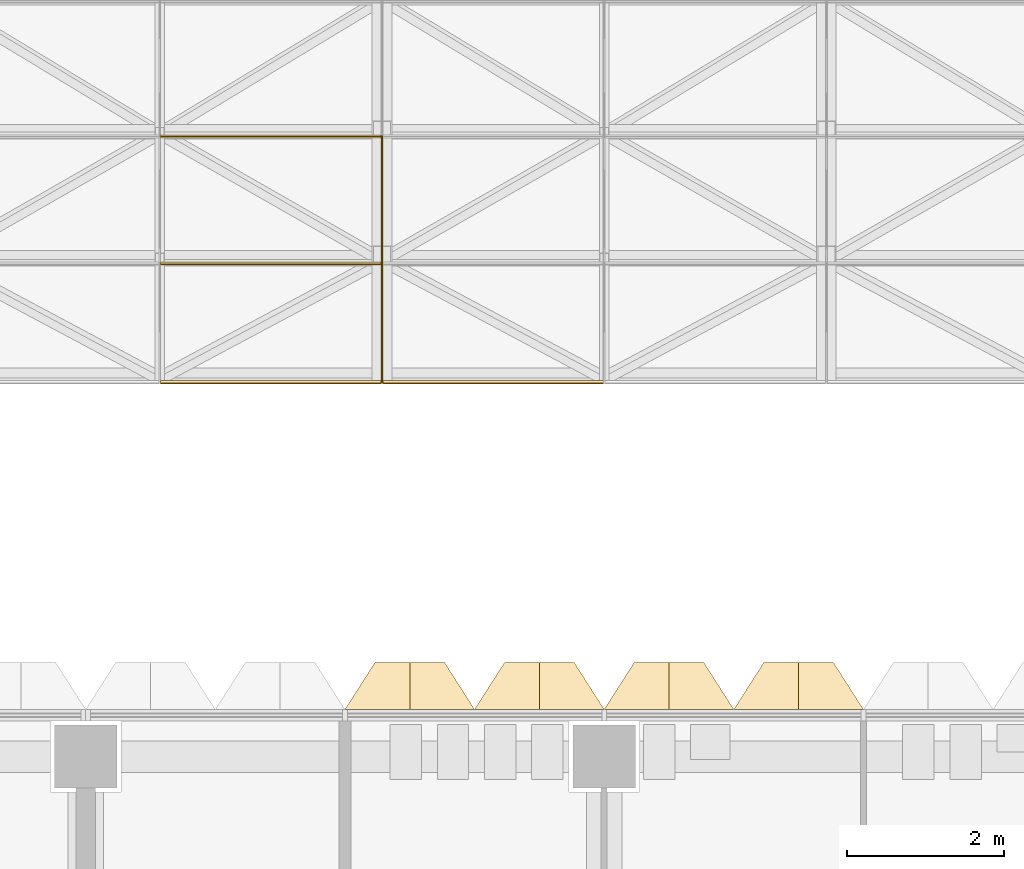
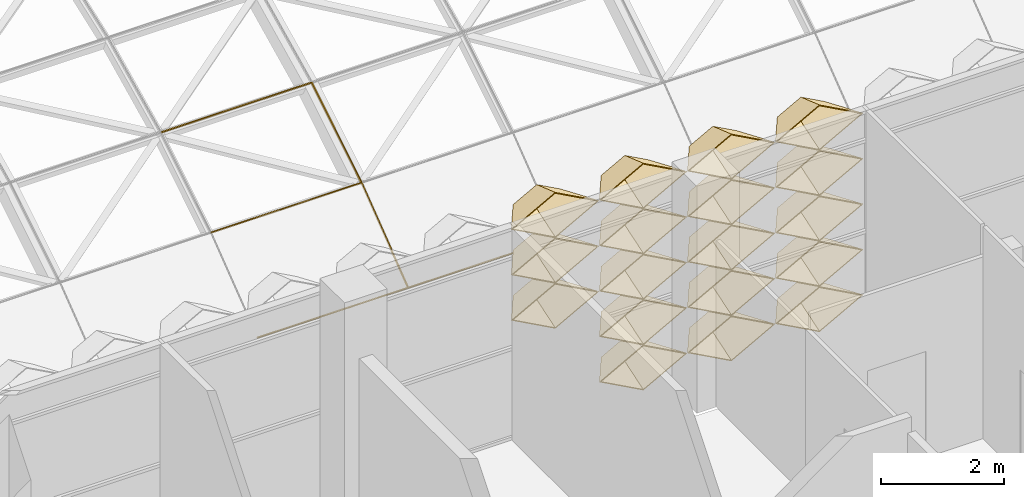
# One storey, part 57 of 85: 24 coverings.
"""IFC4 building model written with IfcOpenShell, lengths in metres."""

from ifc_helpers import new_model, entity, si_unit, direction, frame, origin, origin_2d, place, context, subcontext, project, spatial, rectangle, extrude, material, layer, layer_set, material_profile, profile_set, type_object, element, save


model = new_model("IFC4")

# Units and contexts
model_context = context("Model", 3, precision=1e-05, world=origin(), true_north=direction((0.0, 1.0)))
body_context = subcontext(model_context, "Body", "Model", "MODEL_VIEW")
ifc_project = project(units=[si_unit("LENGTHUNIT", "METRE"), si_unit("AREAUNIT", "SQUARE_METRE"), si_unit("VOLUMEUNIT", "CUBIC_METRE"), si_unit("PLANEANGLEUNIT", "RADIAN"), si_unit("MASSUNIT", "GRAM", prefix="KILO")], contexts=[model_context])

# Site, building, storey
site_placement = place(None, origin())
site = spatial("IfcSite", under=ifc_project, at=site_placement, CompositionType="ELEMENT")
building_placement = place(site_placement, origin())
building = spatial("IfcBuilding", under=site, at=building_placement, Name="Lantern Court Research Institute", CompositionType="ELEMENT")
storey_placement = place(building_placement, frame((0.0, 0.0, 18.89990234375)))
storey = spatial("IfcBuildingStorey", under=building, at=storey_placement, Name="L04", CompositionType="ELEMENT", Elevation=18.89990234375)

# Coverings
ifc_material_1 = material(Name="Anodised aluminium", Category="aluminium")
ifc_layer = layer(ifc_material_1, 0.01611328125)
ifc_layer_set = layer_set([ifc_layer], Name="Anodised aluminium")
covering_type_1 = type_object("IfcCoveringType", Name="Fin cassette 1650 x 900 x 600 aluminium", PredefinedType="CLADDING", material=ifc_layer_set)
covering_1_placement = place(storey_placement, frame((58.574951171875, 23.699951171875, 0.4501953125), z_axis=(0.0, 1.0, 0.0), x_axis=(-1.0, 0.0, 0.0)))
cartesian_point_1 = entity("IfcCartesianPoint", [0.824951171875, 0.0])
cartesian_point_2 = entity("IfcCartesianPoint", [0.79150390625, 0.0])
cartesian_point_3 = entity("IfcCartesianPoint", [0.44189453125, 0.0])
cartesian_point_4 = entity("IfcCartesianPoint", [0.43359375, 0.0])
element("IfcCovering", 1, at=covering_1_placement, inside=storey, type_object=covering_type_1, Name="Fin cassette V5N-L04 1.36", PredefinedType="CLADDING", context=body_context, shape_type="SweptSolid", body=[
    entity("IfcExtrudedAreaSolidTapered", entity("IfcArbitraryProfileDefWithVoids", "AREA", None, entity("IfcPolyline", [cartesian_point_1, entity("IfcCartesianPoint", [0.0, 0.449951171875]), entity("IfcCartesianPoint", [-0.824951171875, 0.0]), entity("IfcCartesianPoint", [0.0, -0.449951171875]), cartesian_point_1]), [entity("IfcPolyline", [cartesian_point_2, entity("IfcCartesianPoint", [0.0, 0.431884765625]), entity("IfcCartesianPoint", [-0.79150390625, 0.0]), entity("IfcCartesianPoint", [0.0, -0.431884765625]), cartesian_point_2])]), entity("IfcAxis2Placement3D", entity("IfcCartesianPoint", [0.0, 0.0, 0.0])), entity("IfcDirection", [0.0, 0.0, 1.0]), 0.60009765625, entity("IfcArbitraryProfileDefWithVoids", "AREA", None, entity("IfcPolyline", [cartesian_point_3, entity("IfcCartesianPoint", [0.0, 0.240966796875]), entity("IfcCartesianPoint", [-0.44189453125, 0.0]), entity("IfcCartesianPoint", [0.0, -0.240966796875]), cartesian_point_3]), [entity("IfcPolyline", [cartesian_point_4, entity("IfcCartesianPoint", [0.0, 0.236572265625]), entity("IfcCartesianPoint", [-0.43359375, 0.0]), entity("IfcCartesianPoint", [0.0, -0.236572265625]), cartesian_point_4])])),
])
covering_2_placement = place(storey_placement, frame((60.22509765625, 23.699951171875, 0.4501953125), z_axis=(0.0, 1.0, 0.0), x_axis=(-1.0, 0.0, 0.0)))
cartesian_point_5 = entity("IfcCartesianPoint", [0.824951171875, 0.0])
cartesian_point_6 = entity("IfcCartesianPoint", [0.79150390625, 0.0])
cartesian_point_7 = entity("IfcCartesianPoint", [0.44189453125, 0.0])
cartesian_point_8 = entity("IfcCartesianPoint", [0.43359375, 0.0])
element("IfcCovering", 2, at=covering_2_placement, inside=storey, type_object=covering_type_1, Name="Fin cassette V5N-L04 1.37", PredefinedType="CLADDING", context=body_context, shape_type="SweptSolid", body=[
    entity("IfcExtrudedAreaSolidTapered", entity("IfcArbitraryProfileDefWithVoids", "AREA", None, entity("IfcPolyline", [cartesian_point_5, entity("IfcCartesianPoint", [0.0, 0.449951171875]), entity("IfcCartesianPoint", [-0.824951171875, 0.0]), entity("IfcCartesianPoint", [0.0, -0.449951171875]), cartesian_point_5]), [entity("IfcPolyline", [cartesian_point_6, entity("IfcCartesianPoint", [0.0, 0.431884765625]), entity("IfcCartesianPoint", [-0.79150390625, 0.0]), entity("IfcCartesianPoint", [0.0, -0.431884765625]), cartesian_point_6])]), entity("IfcAxis2Placement3D", entity("IfcCartesianPoint", [0.0, 0.0, 0.0])), entity("IfcDirection", [0.0, 0.0, 1.0]), 0.60009765625, entity("IfcArbitraryProfileDefWithVoids", "AREA", None, entity("IfcPolyline", [cartesian_point_7, entity("IfcCartesianPoint", [0.0, 0.240966796875]), entity("IfcCartesianPoint", [-0.44189453125, 0.0]), entity("IfcCartesianPoint", [0.0, -0.240966796875]), cartesian_point_7]), [entity("IfcPolyline", [cartesian_point_8, entity("IfcCartesianPoint", [0.0, 0.236572265625]), entity("IfcCartesianPoint", [-0.43359375, 0.0]), entity("IfcCartesianPoint", [0.0, -0.236572265625]), cartesian_point_8])])),
])
covering_3_placement = place(storey_placement, frame((61.875, 23.699951171875, 0.4501953125), z_axis=(0.0, 1.0, 0.0), x_axis=(-1.0, 0.0, 0.0)))
cartesian_point_9 = entity("IfcCartesianPoint", [0.824951171875, 0.0])
cartesian_point_10 = entity("IfcCartesianPoint", [0.79150390625, 0.0])
cartesian_point_11 = entity("IfcCartesianPoint", [0.44189453125, 0.0])
cartesian_point_12 = entity("IfcCartesianPoint", [0.43359375, 0.0])
element("IfcCovering", 3, at=covering_3_placement, inside=storey, type_object=covering_type_1, Name="Fin cassette V5N-L04 1.38", PredefinedType="CLADDING", context=body_context, shape_type="SweptSolid", body=[
    entity("IfcExtrudedAreaSolidTapered", entity("IfcArbitraryProfileDefWithVoids", "AREA", None, entity("IfcPolyline", [cartesian_point_9, entity("IfcCartesianPoint", [0.0, 0.449951171875]), entity("IfcCartesianPoint", [-0.824951171875, 0.0]), entity("IfcCartesianPoint", [0.0, -0.449951171875]), cartesian_point_9]), [entity("IfcPolyline", [cartesian_point_10, entity("IfcCartesianPoint", [0.0, 0.431884765625]), entity("IfcCartesianPoint", [-0.79150390625, 0.0]), entity("IfcCartesianPoint", [0.0, -0.431884765625]), cartesian_point_10])]), entity("IfcAxis2Placement3D", entity("IfcCartesianPoint", [0.0, 0.0, 0.0])), entity("IfcDirection", [0.0, 0.0, 1.0]), 0.60009765625, entity("IfcArbitraryProfileDefWithVoids", "AREA", None, entity("IfcPolyline", [cartesian_point_11, entity("IfcCartesianPoint", [0.0, 0.240966796875]), entity("IfcCartesianPoint", [-0.44189453125, 0.0]), entity("IfcCartesianPoint", [0.0, -0.240966796875]), cartesian_point_11]), [entity("IfcPolyline", [cartesian_point_12, entity("IfcCartesianPoint", [0.0, 0.236572265625]), entity("IfcCartesianPoint", [-0.43359375, 0.0]), entity("IfcCartesianPoint", [0.0, -0.236572265625]), cartesian_point_12])])),
])
covering_4_placement = place(storey_placement, frame((58.574951171875, 23.699951171875, 1.35009765625), z_axis=(0.0, 1.0, 0.0), x_axis=(-1.0, 0.0, 0.0)))
cartesian_point_13 = entity("IfcCartesianPoint", [0.824951171875, 0.0])
cartesian_point_14 = entity("IfcCartesianPoint", [0.79150390625, 0.0])
cartesian_point_15 = entity("IfcCartesianPoint", [0.44189453125, 0.0])
cartesian_point_16 = entity("IfcCartesianPoint", [0.43359375, 0.0])
element("IfcCovering", 4, at=covering_4_placement, inside=storey, type_object=covering_type_1, Name="Fin cassette V5N-L04 2.36", PredefinedType="CLADDING", context=body_context, shape_type="SweptSolid", body=[
    entity("IfcExtrudedAreaSolidTapered", entity("IfcArbitraryProfileDefWithVoids", "AREA", None, entity("IfcPolyline", [cartesian_point_13, entity("IfcCartesianPoint", [0.0, 0.449951171875]), entity("IfcCartesianPoint", [-0.824951171875, 0.0]), entity("IfcCartesianPoint", [0.0, -0.449951171875]), cartesian_point_13]), [entity("IfcPolyline", [cartesian_point_14, entity("IfcCartesianPoint", [0.0, 0.431884765625]), entity("IfcCartesianPoint", [-0.79150390625, 0.0]), entity("IfcCartesianPoint", [0.0, -0.431884765625]), cartesian_point_14])]), entity("IfcAxis2Placement3D", entity("IfcCartesianPoint", [0.0, 0.0, 0.0])), entity("IfcDirection", [0.0, 0.0, 1.0]), 0.60009765625, entity("IfcArbitraryProfileDefWithVoids", "AREA", None, entity("IfcPolyline", [cartesian_point_15, entity("IfcCartesianPoint", [0.0, 0.240966796875]), entity("IfcCartesianPoint", [-0.44189453125, 0.0]), entity("IfcCartesianPoint", [0.0, -0.240966796875]), cartesian_point_15]), [entity("IfcPolyline", [cartesian_point_16, entity("IfcCartesianPoint", [0.0, 0.236572265625]), entity("IfcCartesianPoint", [-0.43359375, 0.0]), entity("IfcCartesianPoint", [0.0, -0.236572265625]), cartesian_point_16])])),
])
covering_5_placement = place(storey_placement, frame((60.22509765625, 23.699951171875, 1.35009765625), z_axis=(0.0, 1.0, 0.0), x_axis=(-1.0, 0.0, 0.0)))
cartesian_point_17 = entity("IfcCartesianPoint", [0.824951171875, 0.0])
cartesian_point_18 = entity("IfcCartesianPoint", [0.79150390625, 0.0])
cartesian_point_19 = entity("IfcCartesianPoint", [0.44189453125, 0.0])
cartesian_point_20 = entity("IfcCartesianPoint", [0.43359375, 0.0])
element("IfcCovering", 5, at=covering_5_placement, inside=storey, type_object=covering_type_1, Name="Fin cassette V5N-L04 2.37", PredefinedType="CLADDING", context=body_context, shape_type="SweptSolid", body=[
    entity("IfcExtrudedAreaSolidTapered", entity("IfcArbitraryProfileDefWithVoids", "AREA", None, entity("IfcPolyline", [cartesian_point_17, entity("IfcCartesianPoint", [0.0, 0.449951171875]), entity("IfcCartesianPoint", [-0.824951171875, 0.0]), entity("IfcCartesianPoint", [0.0, -0.449951171875]), cartesian_point_17]), [entity("IfcPolyline", [cartesian_point_18, entity("IfcCartesianPoint", [0.0, 0.431884765625]), entity("IfcCartesianPoint", [-0.79150390625, 0.0]), entity("IfcCartesianPoint", [0.0, -0.431884765625]), cartesian_point_18])]), entity("IfcAxis2Placement3D", entity("IfcCartesianPoint", [0.0, 0.0, 0.0])), entity("IfcDirection", [0.0, 0.0, 1.0]), 0.60009765625, entity("IfcArbitraryProfileDefWithVoids", "AREA", None, entity("IfcPolyline", [cartesian_point_19, entity("IfcCartesianPoint", [0.0, 0.240966796875]), entity("IfcCartesianPoint", [-0.44189453125, 0.0]), entity("IfcCartesianPoint", [0.0, -0.240966796875]), cartesian_point_19]), [entity("IfcPolyline", [cartesian_point_20, entity("IfcCartesianPoint", [0.0, 0.236572265625]), entity("IfcCartesianPoint", [-0.43359375, 0.0]), entity("IfcCartesianPoint", [0.0, -0.236572265625]), cartesian_point_20])])),
])
covering_6_placement = place(storey_placement, frame((61.875, 23.699951171875, 1.35009765625), z_axis=(0.0, 1.0, 0.0), x_axis=(-1.0, 0.0, 0.0)))
cartesian_point_21 = entity("IfcCartesianPoint", [0.824951171875, 0.0])
cartesian_point_22 = entity("IfcCartesianPoint", [0.79150390625, 0.0])
cartesian_point_23 = entity("IfcCartesianPoint", [0.44189453125, 0.0])
cartesian_point_24 = entity("IfcCartesianPoint", [0.43359375, 0.0])
element("IfcCovering", 6, at=covering_6_placement, inside=storey, type_object=covering_type_1, Name="Fin cassette V5N-L04 2.38", PredefinedType="CLADDING", context=body_context, shape_type="SweptSolid", body=[
    entity("IfcExtrudedAreaSolidTapered", entity("IfcArbitraryProfileDefWithVoids", "AREA", None, entity("IfcPolyline", [cartesian_point_21, entity("IfcCartesianPoint", [0.0, 0.449951171875]), entity("IfcCartesianPoint", [-0.824951171875, 0.0]), entity("IfcCartesianPoint", [0.0, -0.449951171875]), cartesian_point_21]), [entity("IfcPolyline", [cartesian_point_22, entity("IfcCartesianPoint", [0.0, 0.431884765625]), entity("IfcCartesianPoint", [-0.79150390625, 0.0]), entity("IfcCartesianPoint", [0.0, -0.431884765625]), cartesian_point_22])]), entity("IfcAxis2Placement3D", entity("IfcCartesianPoint", [0.0, 0.0, 0.0])), entity("IfcDirection", [0.0, 0.0, 1.0]), 0.60009765625, entity("IfcArbitraryProfileDefWithVoids", "AREA", None, entity("IfcPolyline", [cartesian_point_23, entity("IfcCartesianPoint", [0.0, 0.240966796875]), entity("IfcCartesianPoint", [-0.44189453125, 0.0]), entity("IfcCartesianPoint", [0.0, -0.240966796875]), cartesian_point_23]), [entity("IfcPolyline", [cartesian_point_24, entity("IfcCartesianPoint", [0.0, 0.236572265625]), entity("IfcCartesianPoint", [-0.43359375, 0.0]), entity("IfcCartesianPoint", [0.0, -0.236572265625]), cartesian_point_24])])),
])
covering_7_placement = place(storey_placement, frame((56.925048828125, 23.699951171875, 2.25), z_axis=(0.0, 1.0, 0.0), x_axis=(-1.0, 0.0, 0.0)))
cartesian_point_25 = entity("IfcCartesianPoint", [0.824951171875, 0.0])
cartesian_point_26 = entity("IfcCartesianPoint", [0.79150390625, 0.0])
cartesian_point_27 = entity("IfcCartesianPoint", [0.44189453125, 0.0])
cartesian_point_28 = entity("IfcCartesianPoint", [0.43359375, 0.0])
element("IfcCovering", 7, at=covering_7_placement, inside=storey, type_object=covering_type_1, Name="Fin cassette V5N-L04 3.35", PredefinedType="CLADDING", context=body_context, shape_type="SweptSolid", body=[
    entity("IfcExtrudedAreaSolidTapered", entity("IfcArbitraryProfileDefWithVoids", "AREA", None, entity("IfcPolyline", [cartesian_point_25, entity("IfcCartesianPoint", [0.0, 0.449951171875]), entity("IfcCartesianPoint", [-0.824951171875, 0.0]), entity("IfcCartesianPoint", [0.0, -0.449951171875]), cartesian_point_25]), [entity("IfcPolyline", [cartesian_point_26, entity("IfcCartesianPoint", [0.0, 0.431884765625]), entity("IfcCartesianPoint", [-0.79150390625, 0.0]), entity("IfcCartesianPoint", [0.0, -0.431884765625]), cartesian_point_26])]), entity("IfcAxis2Placement3D", entity("IfcCartesianPoint", [0.0, 0.0, 0.0])), entity("IfcDirection", [0.0, 0.0, 1.0]), 0.60009765625, entity("IfcArbitraryProfileDefWithVoids", "AREA", None, entity("IfcPolyline", [cartesian_point_27, entity("IfcCartesianPoint", [0.0, 0.240966796875]), entity("IfcCartesianPoint", [-0.44189453125, 0.0]), entity("IfcCartesianPoint", [0.0, -0.240966796875]), cartesian_point_27]), [entity("IfcPolyline", [cartesian_point_28, entity("IfcCartesianPoint", [0.0, 0.236572265625]), entity("IfcCartesianPoint", [-0.43359375, 0.0]), entity("IfcCartesianPoint", [0.0, -0.236572265625]), cartesian_point_28])])),
])
covering_8_placement = place(storey_placement, frame((58.574951171875, 23.699951171875, 2.25), z_axis=(0.0, 1.0, 0.0), x_axis=(-1.0, 0.0, 0.0)))
cartesian_point_29 = entity("IfcCartesianPoint", [0.824951171875, 0.0])
cartesian_point_30 = entity("IfcCartesianPoint", [0.79150390625, 0.0])
cartesian_point_31 = entity("IfcCartesianPoint", [0.44189453125, 0.0])
cartesian_point_32 = entity("IfcCartesianPoint", [0.43359375, 0.0])
element("IfcCovering", 8, at=covering_8_placement, inside=storey, type_object=covering_type_1, Name="Fin cassette V5N-L04 3.36", PredefinedType="CLADDING", context=body_context, shape_type="SweptSolid", body=[
    entity("IfcExtrudedAreaSolidTapered", entity("IfcArbitraryProfileDefWithVoids", "AREA", None, entity("IfcPolyline", [cartesian_point_29, entity("IfcCartesianPoint", [0.0, 0.449951171875]), entity("IfcCartesianPoint", [-0.824951171875, 0.0]), entity("IfcCartesianPoint", [0.0, -0.449951171875]), cartesian_point_29]), [entity("IfcPolyline", [cartesian_point_30, entity("IfcCartesianPoint", [0.0, 0.431884765625]), entity("IfcCartesianPoint", [-0.79150390625, 0.0]), entity("IfcCartesianPoint", [0.0, -0.431884765625]), cartesian_point_30])]), entity("IfcAxis2Placement3D", entity("IfcCartesianPoint", [0.0, 0.0, 0.0])), entity("IfcDirection", [0.0, 0.0, 1.0]), 0.60009765625, entity("IfcArbitraryProfileDefWithVoids", "AREA", None, entity("IfcPolyline", [cartesian_point_31, entity("IfcCartesianPoint", [0.0, 0.240966796875]), entity("IfcCartesianPoint", [-0.44189453125, 0.0]), entity("IfcCartesianPoint", [0.0, -0.240966796875]), cartesian_point_31]), [entity("IfcPolyline", [cartesian_point_32, entity("IfcCartesianPoint", [0.0, 0.236572265625]), entity("IfcCartesianPoint", [-0.43359375, 0.0]), entity("IfcCartesianPoint", [0.0, -0.236572265625]), cartesian_point_32])])),
])
covering_9_placement = place(storey_placement, frame((60.22509765625, 23.699951171875, 2.25), z_axis=(0.0, 1.0, 0.0), x_axis=(-1.0, 0.0, 0.0)))
cartesian_point_33 = entity("IfcCartesianPoint", [0.824951171875, 0.0])
cartesian_point_34 = entity("IfcCartesianPoint", [0.79150390625, 0.0])
cartesian_point_35 = entity("IfcCartesianPoint", [0.44189453125, 0.0])
cartesian_point_36 = entity("IfcCartesianPoint", [0.43359375, 0.0])
element("IfcCovering", 9, at=covering_9_placement, inside=storey, type_object=covering_type_1, Name="Fin cassette V5N-L04 3.37", PredefinedType="CLADDING", context=body_context, shape_type="SweptSolid", body=[
    entity("IfcExtrudedAreaSolidTapered", entity("IfcArbitraryProfileDefWithVoids", "AREA", None, entity("IfcPolyline", [cartesian_point_33, entity("IfcCartesianPoint", [0.0, 0.449951171875]), entity("IfcCartesianPoint", [-0.824951171875, 0.0]), entity("IfcCartesianPoint", [0.0, -0.449951171875]), cartesian_point_33]), [entity("IfcPolyline", [cartesian_point_34, entity("IfcCartesianPoint", [0.0, 0.431884765625]), entity("IfcCartesianPoint", [-0.79150390625, 0.0]), entity("IfcCartesianPoint", [0.0, -0.431884765625]), cartesian_point_34])]), entity("IfcAxis2Placement3D", entity("IfcCartesianPoint", [0.0, 0.0, 0.0])), entity("IfcDirection", [0.0, 0.0, 1.0]), 0.60009765625, entity("IfcArbitraryProfileDefWithVoids", "AREA", None, entity("IfcPolyline", [cartesian_point_35, entity("IfcCartesianPoint", [0.0, 0.240966796875]), entity("IfcCartesianPoint", [-0.44189453125, 0.0]), entity("IfcCartesianPoint", [0.0, -0.240966796875]), cartesian_point_35]), [entity("IfcPolyline", [cartesian_point_36, entity("IfcCartesianPoint", [0.0, 0.236572265625]), entity("IfcCartesianPoint", [-0.43359375, 0.0]), entity("IfcCartesianPoint", [0.0, -0.236572265625]), cartesian_point_36])])),
])
covering_10_placement = place(storey_placement, frame((61.875, 23.699951171875, 2.25), z_axis=(0.0, 1.0, 0.0), x_axis=(-1.0, 0.0, 0.0)))
cartesian_point_37 = entity("IfcCartesianPoint", [0.824951171875, 0.0])
cartesian_point_38 = entity("IfcCartesianPoint", [0.79150390625, 0.0])
cartesian_point_39 = entity("IfcCartesianPoint", [0.44189453125, 0.0])
cartesian_point_40 = entity("IfcCartesianPoint", [0.43359375, 0.0])
element("IfcCovering", 10, at=covering_10_placement, inside=storey, type_object=covering_type_1, Name="Fin cassette V5N-L04 3.38", PredefinedType="CLADDING", context=body_context, shape_type="SweptSolid", body=[
    entity("IfcExtrudedAreaSolidTapered", entity("IfcArbitraryProfileDefWithVoids", "AREA", None, entity("IfcPolyline", [cartesian_point_37, entity("IfcCartesianPoint", [0.0, 0.449951171875]), entity("IfcCartesianPoint", [-0.824951171875, 0.0]), entity("IfcCartesianPoint", [0.0, -0.449951171875]), cartesian_point_37]), [entity("IfcPolyline", [cartesian_point_38, entity("IfcCartesianPoint", [0.0, 0.431884765625]), entity("IfcCartesianPoint", [-0.79150390625, 0.0]), entity("IfcCartesianPoint", [0.0, -0.431884765625]), cartesian_point_38])]), entity("IfcAxis2Placement3D", entity("IfcCartesianPoint", [0.0, 0.0, 0.0])), entity("IfcDirection", [0.0, 0.0, 1.0]), 0.60009765625, entity("IfcArbitraryProfileDefWithVoids", "AREA", None, entity("IfcPolyline", [cartesian_point_39, entity("IfcCartesianPoint", [0.0, 0.240966796875]), entity("IfcCartesianPoint", [-0.44189453125, 0.0]), entity("IfcCartesianPoint", [0.0, -0.240966796875]), cartesian_point_39]), [entity("IfcPolyline", [cartesian_point_40, entity("IfcCartesianPoint", [0.0, 0.236572265625]), entity("IfcCartesianPoint", [-0.43359375, 0.0]), entity("IfcCartesianPoint", [0.0, -0.236572265625]), cartesian_point_40])])),
])
covering_11_placement = place(storey_placement, frame((56.925048828125, 23.699951171875, 3.150146484375), z_axis=(0.0, 1.0, 0.0), x_axis=(-1.0, 0.0, 0.0)))
cartesian_point_41 = entity("IfcCartesianPoint", [0.824951171875, 0.0])
cartesian_point_42 = entity("IfcCartesianPoint", [0.79150390625, 0.0])
cartesian_point_43 = entity("IfcCartesianPoint", [0.44189453125, 0.0])
cartesian_point_44 = entity("IfcCartesianPoint", [0.43359375, 0.0])
element("IfcCovering", 11, at=covering_11_placement, inside=storey, type_object=covering_type_1, Name="Fin cassette V5N-L04 4.35", PredefinedType="CLADDING", context=body_context, shape_type="SweptSolid", body=[
    entity("IfcExtrudedAreaSolidTapered", entity("IfcArbitraryProfileDefWithVoids", "AREA", None, entity("IfcPolyline", [cartesian_point_41, entity("IfcCartesianPoint", [0.0, 0.449951171875]), entity("IfcCartesianPoint", [-0.824951171875, 0.0]), entity("IfcCartesianPoint", [0.0, -0.449951171875]), cartesian_point_41]), [entity("IfcPolyline", [cartesian_point_42, entity("IfcCartesianPoint", [0.0, 0.431884765625]), entity("IfcCartesianPoint", [-0.79150390625, 0.0]), entity("IfcCartesianPoint", [0.0, -0.431884765625]), cartesian_point_42])]), entity("IfcAxis2Placement3D", entity("IfcCartesianPoint", [0.0, 0.0, 0.0])), entity("IfcDirection", [0.0, 0.0, 1.0]), 0.60009765625, entity("IfcArbitraryProfileDefWithVoids", "AREA", None, entity("IfcPolyline", [cartesian_point_43, entity("IfcCartesianPoint", [0.0, 0.240966796875]), entity("IfcCartesianPoint", [-0.44189453125, 0.0]), entity("IfcCartesianPoint", [0.0, -0.240966796875]), cartesian_point_43]), [entity("IfcPolyline", [cartesian_point_44, entity("IfcCartesianPoint", [0.0, 0.236572265625]), entity("IfcCartesianPoint", [-0.43359375, 0.0]), entity("IfcCartesianPoint", [0.0, -0.236572265625]), cartesian_point_44])])),
])
covering_12_placement = place(storey_placement, frame((58.574951171875, 23.699951171875, 3.150146484375), z_axis=(0.0, 1.0, 0.0), x_axis=(-1.0, 0.0, 0.0)))
cartesian_point_45 = entity("IfcCartesianPoint", [0.824951171875, 0.0])
cartesian_point_46 = entity("IfcCartesianPoint", [0.79150390625, 0.0])
cartesian_point_47 = entity("IfcCartesianPoint", [0.44189453125, 0.0])
cartesian_point_48 = entity("IfcCartesianPoint", [0.43359375, 0.0])
element("IfcCovering", 12, at=covering_12_placement, inside=storey, type_object=covering_type_1, Name="Fin cassette V5N-L04 4.36", PredefinedType="CLADDING", context=body_context, shape_type="SweptSolid", body=[
    entity("IfcExtrudedAreaSolidTapered", entity("IfcArbitraryProfileDefWithVoids", "AREA", None, entity("IfcPolyline", [cartesian_point_45, entity("IfcCartesianPoint", [0.0, 0.449951171875]), entity("IfcCartesianPoint", [-0.824951171875, 0.0]), entity("IfcCartesianPoint", [0.0, -0.449951171875]), cartesian_point_45]), [entity("IfcPolyline", [cartesian_point_46, entity("IfcCartesianPoint", [0.0, 0.431884765625]), entity("IfcCartesianPoint", [-0.79150390625, 0.0]), entity("IfcCartesianPoint", [0.0, -0.431884765625]), cartesian_point_46])]), entity("IfcAxis2Placement3D", entity("IfcCartesianPoint", [0.0, 0.0, 0.0])), entity("IfcDirection", [0.0, 0.0, 1.0]), 0.60009765625, entity("IfcArbitraryProfileDefWithVoids", "AREA", None, entity("IfcPolyline", [cartesian_point_47, entity("IfcCartesianPoint", [0.0, 0.240966796875]), entity("IfcCartesianPoint", [-0.44189453125, 0.0]), entity("IfcCartesianPoint", [0.0, -0.240966796875]), cartesian_point_47]), [entity("IfcPolyline", [cartesian_point_48, entity("IfcCartesianPoint", [0.0, 0.236572265625]), entity("IfcCartesianPoint", [-0.43359375, 0.0]), entity("IfcCartesianPoint", [0.0, -0.236572265625]), cartesian_point_48])])),
])
covering_13_placement = place(storey_placement, frame((60.22509765625, 23.699951171875, 3.150146484375), z_axis=(0.0, 1.0, 0.0), x_axis=(-1.0, 0.0, 0.0)))
cartesian_point_49 = entity("IfcCartesianPoint", [0.824951171875, 0.0])
cartesian_point_50 = entity("IfcCartesianPoint", [0.79150390625, 0.0])
cartesian_point_51 = entity("IfcCartesianPoint", [0.44189453125, 0.0])
cartesian_point_52 = entity("IfcCartesianPoint", [0.43359375, 0.0])
element("IfcCovering", 13, at=covering_13_placement, inside=storey, type_object=covering_type_1, Name="Fin cassette V5N-L04 4.37", PredefinedType="CLADDING", context=body_context, shape_type="SweptSolid", body=[
    entity("IfcExtrudedAreaSolidTapered", entity("IfcArbitraryProfileDefWithVoids", "AREA", None, entity("IfcPolyline", [cartesian_point_49, entity("IfcCartesianPoint", [0.0, 0.449951171875]), entity("IfcCartesianPoint", [-0.824951171875, 0.0]), entity("IfcCartesianPoint", [0.0, -0.449951171875]), cartesian_point_49]), [entity("IfcPolyline", [cartesian_point_50, entity("IfcCartesianPoint", [0.0, 0.431884765625]), entity("IfcCartesianPoint", [-0.79150390625, 0.0]), entity("IfcCartesianPoint", [0.0, -0.431884765625]), cartesian_point_50])]), entity("IfcAxis2Placement3D", entity("IfcCartesianPoint", [0.0, 0.0, 0.0])), entity("IfcDirection", [0.0, 0.0, 1.0]), 0.60009765625, entity("IfcArbitraryProfileDefWithVoids", "AREA", None, entity("IfcPolyline", [cartesian_point_51, entity("IfcCartesianPoint", [0.0, 0.240966796875]), entity("IfcCartesianPoint", [-0.44189453125, 0.0]), entity("IfcCartesianPoint", [0.0, -0.240966796875]), cartesian_point_51]), [entity("IfcPolyline", [cartesian_point_52, entity("IfcCartesianPoint", [0.0, 0.236572265625]), entity("IfcCartesianPoint", [-0.43359375, 0.0]), entity("IfcCartesianPoint", [0.0, -0.236572265625]), cartesian_point_52])])),
])
covering_14_placement = place(storey_placement, frame((61.875, 23.699951171875, 3.150146484375), z_axis=(0.0, 1.0, 0.0), x_axis=(-1.0, 0.0, 0.0)))
cartesian_point_53 = entity("IfcCartesianPoint", [0.824951171875, 0.0])
cartesian_point_54 = entity("IfcCartesianPoint", [0.79150390625, 0.0])
cartesian_point_55 = entity("IfcCartesianPoint", [0.44189453125, 0.0])
cartesian_point_56 = entity("IfcCartesianPoint", [0.43359375, 0.0])
element("IfcCovering", 14, at=covering_14_placement, inside=storey, type_object=covering_type_1, Name="Fin cassette V5N-L04 4.38", PredefinedType="CLADDING", context=body_context, shape_type="SweptSolid", body=[
    entity("IfcExtrudedAreaSolidTapered", entity("IfcArbitraryProfileDefWithVoids", "AREA", None, entity("IfcPolyline", [cartesian_point_53, entity("IfcCartesianPoint", [0.0, 0.449951171875]), entity("IfcCartesianPoint", [-0.824951171875, 0.0]), entity("IfcCartesianPoint", [0.0, -0.449951171875]), cartesian_point_53]), [entity("IfcPolyline", [cartesian_point_54, entity("IfcCartesianPoint", [0.0, 0.431884765625]), entity("IfcCartesianPoint", [-0.79150390625, 0.0]), entity("IfcCartesianPoint", [0.0, -0.431884765625]), cartesian_point_54])]), entity("IfcAxis2Placement3D", entity("IfcCartesianPoint", [0.0, 0.0, 0.0])), entity("IfcDirection", [0.0, 0.0, 1.0]), 0.60009765625, entity("IfcArbitraryProfileDefWithVoids", "AREA", None, entity("IfcPolyline", [cartesian_point_55, entity("IfcCartesianPoint", [0.0, 0.240966796875]), entity("IfcCartesianPoint", [-0.44189453125, 0.0]), entity("IfcCartesianPoint", [0.0, -0.240966796875]), cartesian_point_55]), [entity("IfcPolyline", [cartesian_point_56, entity("IfcCartesianPoint", [0.0, 0.236572265625]), entity("IfcCartesianPoint", [-0.43359375, 0.0]), entity("IfcCartesianPoint", [0.0, -0.236572265625]), cartesian_point_56])])),
])
covering_15_placement = place(storey_placement, frame((56.925048828125, 23.699951171875, 4.050048828125), z_axis=(0.0, 1.0, 0.0), x_axis=(-1.0, 0.0, 0.0)))
cartesian_point_57 = entity("IfcCartesianPoint", [0.824951171875, 0.0])
cartesian_point_58 = entity("IfcCartesianPoint", [0.79150390625, 0.0])
cartesian_point_59 = entity("IfcCartesianPoint", [0.44189453125, 0.0])
cartesian_point_60 = entity("IfcCartesianPoint", [0.43359375, 0.0])
element("IfcCovering", 15, at=covering_15_placement, inside=storey, type_object=covering_type_1, Name="Fin cassette V5N-L04 5.35", PredefinedType="CLADDING", context=body_context, shape_type="SweptSolid", body=[
    entity("IfcExtrudedAreaSolidTapered", entity("IfcArbitraryProfileDefWithVoids", "AREA", None, entity("IfcPolyline", [cartesian_point_57, entity("IfcCartesianPoint", [0.0, 0.449951171875]), entity("IfcCartesianPoint", [-0.824951171875, 0.0]), entity("IfcCartesianPoint", [0.0, -0.449951171875]), cartesian_point_57]), [entity("IfcPolyline", [cartesian_point_58, entity("IfcCartesianPoint", [0.0, 0.431884765625]), entity("IfcCartesianPoint", [-0.79150390625, 0.0]), entity("IfcCartesianPoint", [0.0, -0.431884765625]), cartesian_point_58])]), entity("IfcAxis2Placement3D", entity("IfcCartesianPoint", [0.0, 0.0, 0.0])), entity("IfcDirection", [0.0, 0.0, 1.0]), 0.60009765625, entity("IfcArbitraryProfileDefWithVoids", "AREA", None, entity("IfcPolyline", [cartesian_point_59, entity("IfcCartesianPoint", [0.0, 0.240966796875]), entity("IfcCartesianPoint", [-0.44189453125, 0.0]), entity("IfcCartesianPoint", [0.0, -0.240966796875]), cartesian_point_59]), [entity("IfcPolyline", [cartesian_point_60, entity("IfcCartesianPoint", [0.0, 0.236572265625]), entity("IfcCartesianPoint", [-0.43359375, 0.0]), entity("IfcCartesianPoint", [0.0, -0.236572265625]), cartesian_point_60])])),
])
covering_16_placement = place(storey_placement, frame((58.574951171875, 23.699951171875, 4.050048828125), z_axis=(0.0, 1.0, 0.0), x_axis=(-1.0, 0.0, 0.0)))
cartesian_point_61 = entity("IfcCartesianPoint", [0.824951171875, 0.0])
cartesian_point_62 = entity("IfcCartesianPoint", [0.79150390625, 0.0])
cartesian_point_63 = entity("IfcCartesianPoint", [0.44189453125, 0.0])
cartesian_point_64 = entity("IfcCartesianPoint", [0.43359375, 0.0])
element("IfcCovering", 16, at=covering_16_placement, inside=storey, type_object=covering_type_1, Name="Fin cassette V5N-L04 5.36", PredefinedType="CLADDING", context=body_context, shape_type="SweptSolid", body=[
    entity("IfcExtrudedAreaSolidTapered", entity("IfcArbitraryProfileDefWithVoids", "AREA", None, entity("IfcPolyline", [cartesian_point_61, entity("IfcCartesianPoint", [0.0, 0.449951171875]), entity("IfcCartesianPoint", [-0.824951171875, 0.0]), entity("IfcCartesianPoint", [0.0, -0.449951171875]), cartesian_point_61]), [entity("IfcPolyline", [cartesian_point_62, entity("IfcCartesianPoint", [0.0, 0.431884765625]), entity("IfcCartesianPoint", [-0.79150390625, 0.0]), entity("IfcCartesianPoint", [0.0, -0.431884765625]), cartesian_point_62])]), entity("IfcAxis2Placement3D", entity("IfcCartesianPoint", [0.0, 0.0, 0.0])), entity("IfcDirection", [0.0, 0.0, 1.0]), 0.60009765625, entity("IfcArbitraryProfileDefWithVoids", "AREA", None, entity("IfcPolyline", [cartesian_point_63, entity("IfcCartesianPoint", [0.0, 0.240966796875]), entity("IfcCartesianPoint", [-0.44189453125, 0.0]), entity("IfcCartesianPoint", [0.0, -0.240966796875]), cartesian_point_63]), [entity("IfcPolyline", [cartesian_point_64, entity("IfcCartesianPoint", [0.0, 0.236572265625]), entity("IfcCartesianPoint", [-0.43359375, 0.0]), entity("IfcCartesianPoint", [0.0, -0.236572265625]), cartesian_point_64])])),
])
covering_17_placement = place(storey_placement, frame((60.22509765625, 23.699951171875, 4.050048828125), z_axis=(0.0, 1.0, 0.0), x_axis=(-1.0, 0.0, 0.0)))
cartesian_point_65 = entity("IfcCartesianPoint", [0.824951171875, 0.0])
cartesian_point_66 = entity("IfcCartesianPoint", [0.79150390625, 0.0])
cartesian_point_67 = entity("IfcCartesianPoint", [0.44189453125, 0.0])
cartesian_point_68 = entity("IfcCartesianPoint", [0.43359375, 0.0])
element("IfcCovering", 17, at=covering_17_placement, inside=storey, type_object=covering_type_1, Name="Fin cassette V5N-L04 5.37", PredefinedType="CLADDING", context=body_context, shape_type="SweptSolid", body=[
    entity("IfcExtrudedAreaSolidTapered", entity("IfcArbitraryProfileDefWithVoids", "AREA", None, entity("IfcPolyline", [cartesian_point_65, entity("IfcCartesianPoint", [0.0, 0.449951171875]), entity("IfcCartesianPoint", [-0.824951171875, 0.0]), entity("IfcCartesianPoint", [0.0, -0.449951171875]), cartesian_point_65]), [entity("IfcPolyline", [cartesian_point_66, entity("IfcCartesianPoint", [0.0, 0.431884765625]), entity("IfcCartesianPoint", [-0.79150390625, 0.0]), entity("IfcCartesianPoint", [0.0, -0.431884765625]), cartesian_point_66])]), entity("IfcAxis2Placement3D", entity("IfcCartesianPoint", [0.0, 0.0, 0.0])), entity("IfcDirection", [0.0, 0.0, 1.0]), 0.60009765625, entity("IfcArbitraryProfileDefWithVoids", "AREA", None, entity("IfcPolyline", [cartesian_point_67, entity("IfcCartesianPoint", [0.0, 0.240966796875]), entity("IfcCartesianPoint", [-0.44189453125, 0.0]), entity("IfcCartesianPoint", [0.0, -0.240966796875]), cartesian_point_67]), [entity("IfcPolyline", [cartesian_point_68, entity("IfcCartesianPoint", [0.0, 0.236572265625]), entity("IfcCartesianPoint", [-0.43359375, 0.0]), entity("IfcCartesianPoint", [0.0, -0.236572265625]), cartesian_point_68])])),
])
covering_18_placement = place(storey_placement, frame((61.875, 23.699951171875, 4.050048828125), z_axis=(0.0, 1.0, 0.0), x_axis=(-1.0, 0.0, 0.0)))
cartesian_point_69 = entity("IfcCartesianPoint", [0.824951171875, 0.0])
cartesian_point_70 = entity("IfcCartesianPoint", [0.79150390625, 0.0])
cartesian_point_71 = entity("IfcCartesianPoint", [0.44189453125, 0.0])
cartesian_point_72 = entity("IfcCartesianPoint", [0.43359375, 0.0])
element("IfcCovering", 18, at=covering_18_placement, inside=storey, type_object=covering_type_1, Name="Fin cassette V5N-L04 5.38", PredefinedType="CLADDING", context=body_context, shape_type="SweptSolid", body=[
    entity("IfcExtrudedAreaSolidTapered", entity("IfcArbitraryProfileDefWithVoids", "AREA", None, entity("IfcPolyline", [cartesian_point_69, entity("IfcCartesianPoint", [0.0, 0.449951171875]), entity("IfcCartesianPoint", [-0.824951171875, 0.0]), entity("IfcCartesianPoint", [0.0, -0.449951171875]), cartesian_point_69]), [entity("IfcPolyline", [cartesian_point_70, entity("IfcCartesianPoint", [0.0, 0.431884765625]), entity("IfcCartesianPoint", [-0.79150390625, 0.0]), entity("IfcCartesianPoint", [0.0, -0.431884765625]), cartesian_point_70])]), entity("IfcAxis2Placement3D", entity("IfcCartesianPoint", [0.0, 0.0, 0.0])), entity("IfcDirection", [0.0, 0.0, 1.0]), 0.60009765625, entity("IfcArbitraryProfileDefWithVoids", "AREA", None, entity("IfcPolyline", [cartesian_point_71, entity("IfcCartesianPoint", [0.0, 0.240966796875]), entity("IfcCartesianPoint", [-0.44189453125, 0.0]), entity("IfcCartesianPoint", [0.0, -0.240966796875]), cartesian_point_71]), [entity("IfcPolyline", [cartesian_point_72, entity("IfcCartesianPoint", [0.0, 0.236572265625]), entity("IfcCartesianPoint", [-0.43359375, 0.0]), entity("IfcCartesianPoint", [0.0, -0.236572265625]), cartesian_point_72])])),
])
ifc_material_2 = material(Name="Aluminium alloy 6063-T6", Category="aluminium")
ifc_material_profile = material_profile(ifc_material_2, rectangle(XDim=0.01806640625, YDim=0.0439453125, at=origin_2d()), Name="Joint cover bar 18 x 44")
ifc_profile_set = profile_set([ifc_material_profile], Name="Aluminium alloy 6063-T6")
covering_type_2 = type_object("IfcCoveringType", Name="Joint cover bar 18 x 44", PredefinedType="MOLDING", material=ifc_profile_set)
for number, where, z_axis, x_axis, name in (
    (19, (53.7529296875, 27.8642578125, 0.21240234375), (1.0, 0.0, 0.0), (0.0, 0.761672913152, 0.647961706717), "Joint cover bar"),
    (20, (53.7529296875, 29.375244140625, 1.3720703125), (1.0, 0.0, 0.0), (0.0, 0.822954255966, 0.568107641726), "Joint cover bar"),
    (21, (53.7529296875, 30.9951171875, 2.373779296875), (1.0, 0.0, 0.0), (0.0, 0.875897373228, 0.482497452399), "Joint cover bar"),
):
    element("IfcCovering", number, at=place(storey_placement, frame(where, z_axis=z_axis, x_axis=x_axis)), inside=storey, type_object=covering_type_2, Name=name, PredefinedType="MOLDING", context=body_context, shape_type="SweptSolid", body=[
        extrude(rectangle(XDim=0.01806640625, YDim=0.0439453125, at=origin_2d()), origin(), (0.0, 0.0, 1.0), 2.80859375),
    ])
covering_19_placement = place(storey_placement, frame((56.571533203125, 27.864990234375, 0.213134765625), z_axis=(0.0, 0.793329505358, 0.608792490039), x_axis=(-1.0, 0.0, 0.0)))
element("IfcCovering", 22, at=covering_19_placement, inside=storey, type_object=covering_type_2, Name="Joint cover bar", PredefinedType="MOLDING", context=body_context, shape_type="SweptSolid", body=[
    extrude(rectangle(XDim=0.01806640625, YDim=0.0439453125, at=origin_2d()), origin(), (0.0, 0.0, 1.0), 1.90234375),
])
covering_20_placement = place(storey_placement, frame((56.58154296875, 27.8642578125, 0.21240234375), z_axis=(1.0, 0.0, 0.0), x_axis=(0.0, 0.761672913152, 0.647961706717)))
element("IfcCovering", 23, at=covering_20_placement, inside=storey, type_object=covering_type_2, Name="Joint cover bar", PredefinedType="MOLDING", context=body_context, shape_type="SweptSolid", body=[
    extrude(rectangle(XDim=0.01806640625, YDim=0.0439453125, at=origin_2d()), origin(), (0.0, 0.0, 1.0), 2.808349609375),
])
covering_21_placement = place(storey_placement, frame((56.571533203125, 29.376220703125, 1.37255859375), z_axis=(0.0, 0.850462004525, 0.526036480541), x_axis=(-1.0, 0.0, 0.0)))
element("IfcCovering", 24, at=covering_21_placement, inside=storey, type_object=covering_type_2, Name="Joint cover bar", PredefinedType="MOLDING", context=body_context, shape_type="SweptSolid", body=[
    extrude(rectangle(XDim=0.01806640625, YDim=0.0439453125, at=origin_2d()), origin(), (0.0, 0.0, 1.0), 1.90234375),
])

save(model, "model.ifc")
